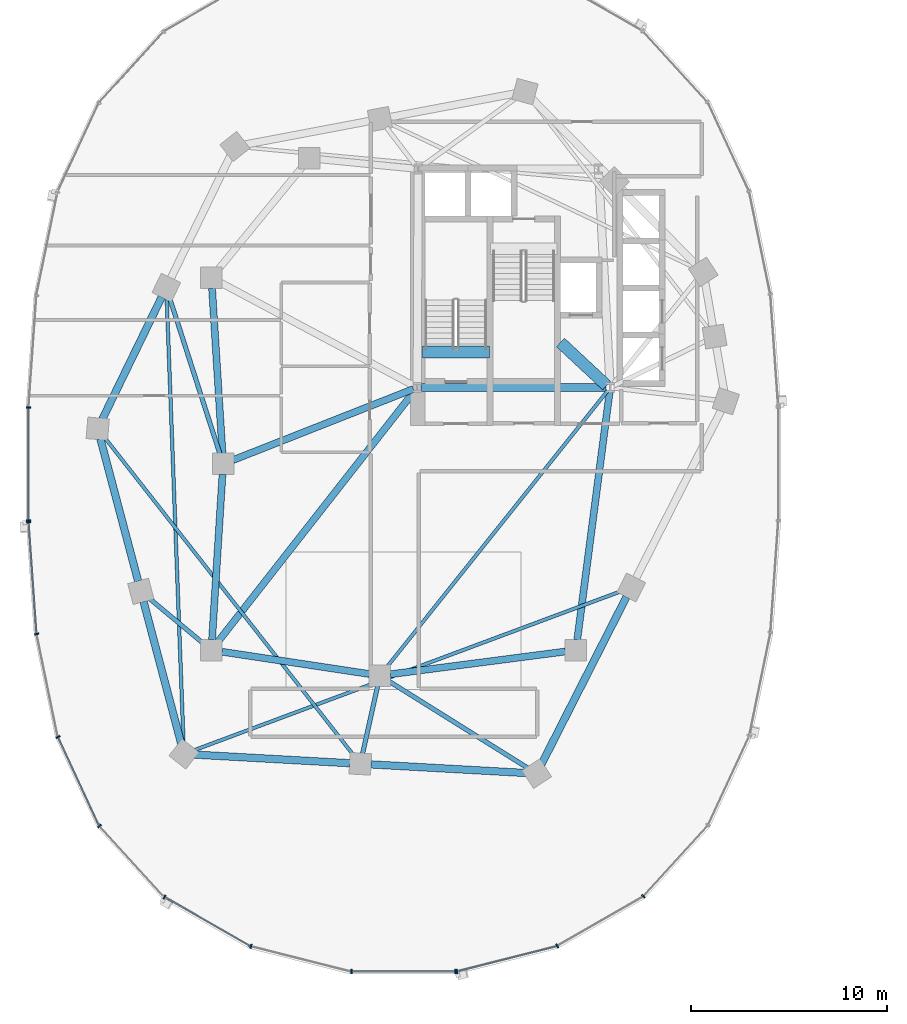
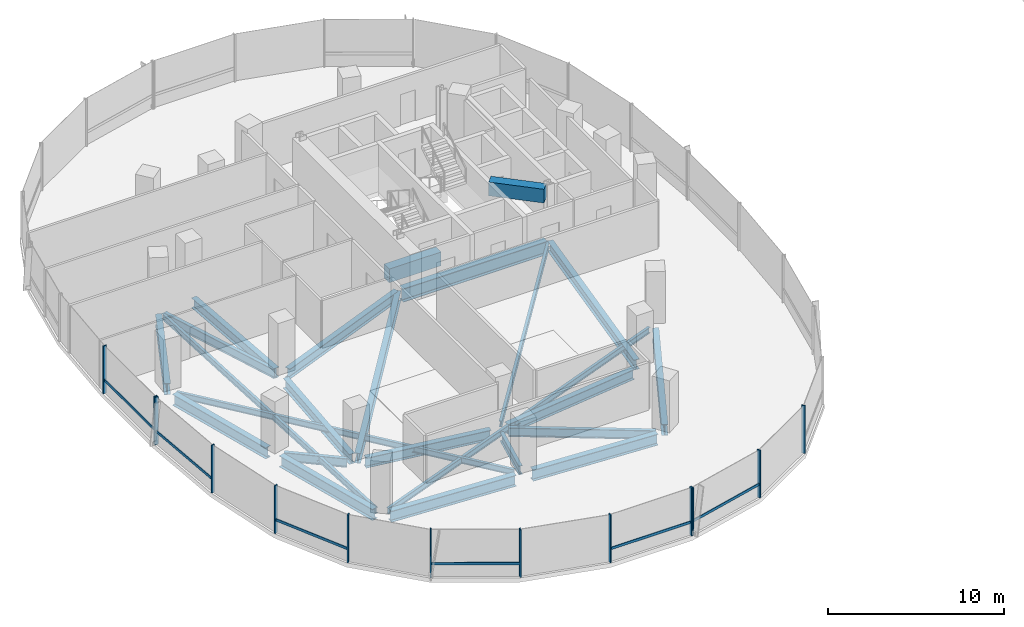
# One storey, part 2 of 21: 24 beams, 19 members, 3 elements without a shape of their own.
"""IFC4 building model written with IfcOpenShell, lengths in metres."""

import ifcopenshell
import ifcopenshell.guid

model = None  # the IFC model being written
_history = None  # IfcOwnerHistory: only IFC2X3 demands one
_inside = {}  # id of a spatial element -> (the spatial element, [elements in it])
_under = {}  # id of a project, library or spatial element -> (it, [spatial elements below it])
_declared = {}  # id of a project -> (the project, [libraries it declares])
_typed = {}  # id of a type object -> (the type object, [elements of that type])
_made_of = {}  # id of a material, layer set ... -> (it, [elements and type objects made of it])


def new_model(schema):
    """Start an empty IFC model of exactly this schema.

    Asked for "IFC4X3", IfcOpenShell would pick the latest addendum, in which some entities
    have other attributes; the version numbers below select the first issue.
    IFC2X3 requires an IfcOwnerHistory on every rooted entity: one is made here for all.
    """
    global model, _history
    if schema == "IFC4X3":
        model = ifcopenshell.file(schema_version=(4, 3, 0, 0))
    else:
        model = ifcopenshell.file(schema=schema)
    _inside.clear()
    _under.clear()
    _declared.clear()
    _typed.clear()
    _made_of.clear()
    _history = None
    if model.schema == "IFC2X3":
        org = make("IfcOrganization", Name="unknown")
        user = make(
            "IfcPersonAndOrganization",
            ThePerson=make("IfcPerson", FamilyName="unknown"),
            TheOrganization=org,
        )
        app = make(
            "IfcApplication",
            ApplicationDeveloper=org,
            Version="unknown",
            ApplicationFullName="unknown",
            ApplicationIdentifier="unknown",
        )
        _history = make(
            "IfcOwnerHistory",
            OwningUser=user,
            OwningApplication=app,
            ChangeAction="ADDED",
            CreationDate=0,
        )
    return model


def make(cls, **values):
    """One entity of the class cls with the attributes given. An attribute that is None is left unset."""
    return model.create_entity(
        cls, **{name: value for name, value in values.items() if value is not None}
    )


def rooted(cls, **values):
    """An entity with a GlobalId (a new one), such as an element, a storey or a relation."""
    return make(cls, GlobalId=ifcopenshell.guid.new(), OwnerHistory=_history, **values)


def si_unit(unit_type, name, prefix=None):
    """IfcSIUnit, for example si_unit("LENGTHUNIT", "METRE", prefix="MILLI")."""
    return make("IfcSIUnit", UnitType=unit_type, Prefix=prefix, Name=name)


def assignment(units):
    """IfcUnitAssignment: the units of a project."""
    return None if units is None else make("IfcUnitAssignment", Units=units)


def point(xyz):
    """IfcCartesianPoint."""
    return None if xyz is None else make("IfcCartesianPoint", Coordinates=xyz)


def direction(xyz):
    """IfcDirection."""
    return None if xyz is None else make("IfcDirection", DirectionRatios=xyz)


def frame(location, z_axis=None, x_axis=None):
    """IfcAxis2Placement3D, a coordinate frame: its origin and axes. An axis left out is left unset."""
    return make(
        "IfcAxis2Placement3D",
        Location=point(location),
        Axis=direction(z_axis),
        RefDirection=direction(x_axis),
    )


def frame_2d(location, x_axis=None):
    """IfcAxis2Placement2D, a coordinate frame in the plane: its origin and x axis."""
    return make(
        "IfcAxis2Placement2D", Location=point(location), RefDirection=direction(x_axis)
    )


def origin():
    """The frame at (0, 0, 0) with its axes left unset."""
    return frame((0.0, 0.0, 0.0))


def origin_2d():
    """The frame at (0, 0) in the plane with its x axis left unset."""
    return frame_2d((0.0, 0.0))


def place(relative_to, where):
    """IfcLocalPlacement: puts the frame where relative to a parent placement (None: the world)."""
    return make(
        "IfcLocalPlacement", PlacementRelTo=relative_to, RelativePlacement=where
    )


def context(
    kind, dimensions, precision=None, world=None, true_north=None, identifier=None
):
    """IfcGeometricRepresentationContext, for example the 3D "Model" context."""
    return make(
        "IfcGeometricRepresentationContext",
        ContextIdentifier=identifier,
        ContextType=kind,
        CoordinateSpaceDimension=dimensions,
        Precision=precision,
        WorldCoordinateSystem=world,
        TrueNorth=true_north,
    )


def subcontext(parent, identifier, kind, view, scale=None):
    """IfcGeometricRepresentationSubContext, for example "Body" below "Model"."""
    return make(
        "IfcGeometricRepresentationSubContext",
        ContextIdentifier=identifier,
        ContextType=kind,
        ParentContext=parent,
        TargetScale=scale,
        TargetView=view,
    )


def project(units=None, contexts=None):
    """IfcProject with its units and contexts."""
    return rooted(
        "IfcProject",
        Name="project",
        RepresentationContexts=contexts,
        UnitsInContext=assignment(units),
    )


def spatial(cls, under=None, at=None, **own):
    """A site, building, storey or space (cls), placed at a placement, below another one or the project."""
    s = rooted(cls, ObjectPlacement=at, **own)
    if under is not None:
        _under.setdefault(under.id(), (under, []))[1].append(s)
    return s


def profile(cls, at=None, kind="AREA", **sizes):
    """A parametric profile (cls). Its sizes go by their IFC names, for example OverallWidth=200.0."""
    return make(cls, ProfileType=kind, Position=at, **sizes)


def rectangle(**sizes):
    """IfcRectangleProfileDef."""
    return profile("IfcRectangleProfileDef", **sizes)


def i_section(**sizes):
    """IfcIShapeProfileDef."""
    return profile("IfcIShapeProfileDef", **sizes)


def extrude(swept, where, along, depth):
    """IfcExtrudedAreaSolid: the profile swept, set in the frame where, extruded along a direction by depth."""
    return make(
        "IfcExtrudedAreaSolid",
        SweptArea=swept,
        Position=where,
        ExtrudedDirection=direction(along),
        Depth=depth,
    )


def shape(context_of_items, identifier, shape_type, items):
    """IfcShapeRepresentation: the items that make up one representation, for example the "Body"."""
    return make(
        "IfcShapeRepresentation",
        ContextOfItems=context_of_items,
        RepresentationIdentifier=identifier,
        RepresentationType=shape_type,
        Items=items,
    )


def material(Name=None, Category=None):
    """IfcMaterial."""
    return make("IfcMaterial", Name=Name, Category=Category)


def material_profile(
    of_material, cross_section, Name=None, Category=None, Priority=None
):
    """IfcMaterialProfile: a cross section and its material."""
    return make(
        "IfcMaterialProfile",
        Name=Name,
        Material=of_material,
        Profile=cross_section,
        Priority=Priority,
        Category=Category,
    )


def profile_set(profiles, Name=None, composite=None):
    """IfcMaterialProfileSet."""
    return make(
        "IfcMaterialProfileSet",
        Name=Name,
        MaterialProfiles=profiles,
        CompositeProfile=composite,
    )


def made_of(thing, what):
    """Note that an element or type object is made of a material, layer set ...; save() writes the relation."""
    if what is not None:
        _made_of.setdefault(what.id(), (what, []))[1].append(thing)
    return thing


def type_object(cls, material=None, **own):
    """A type object (cls), such as IfcWallType, which elements share."""
    return made_of(rooted(cls, **own), material)


def element(
    cls,
    number,
    at=None,
    inside=None,
    cuts=None,
    type_object=None,
    material=None,
    context=None,
    identifier="Body",
    shape_type=None,
    held_by="IfcProductDefinitionShape",
    body=None,
    shapes=None,
    **own,
):
    """One element of the class cls, such as IfcWall. Its Tag is "e" and its number.

    at: its placement. inside: the storey or other place that contains it. cuts: it is an
    opening in that element (IfcRelVoidsElement). A single representation is given by context,
    identifier, shape_type and body (its items); several are given by shapes. held_by: the class
    of the entity that holds the representations. save() writes the other relations.
    """
    e = rooted(cls, Tag="e%d" % number, ObjectPlacement=at, **own)
    if body is not None:
        shapes = [shape(context, identifier, shape_type, body)]
    if shapes is not None:
        e.Representation = make(held_by, Representations=shapes)
    if inside is not None:
        _inside.setdefault(inside.id(), (inside, []))[1].append(e)
    if cuts is not None:
        rooted(
            "IfcRelVoidsElement", RelatingBuildingElement=cuts, RelatedOpeningElement=e
        )
    if type_object is not None:
        _typed.setdefault(type_object.id(), (type_object, []))[1].append(e)
    return made_of(e, material)


def aggregate(whole, parts):
    """IfcRelAggregates: a whole, such as a stair, and the parts it consists of."""
    return rooted("IfcRelAggregates", RelatingObject=whole, RelatedObjects=parts)


def save(model, path):
    """Write the relations noted so far, then the file.

    IfcRelAggregates (storeys below a building ...), IfcRelContainedInSpatialStructure (elements
    in a storey), IfcRelDefinesByType, IfcRelAssociatesMaterial and IfcRelDeclares: one each for
    every whole, place, type object, material and project.
    """
    for whole, parts in _under.values():
        aggregate(whole, parts)
    for where, things in _inside.values():
        rooted(
            "IfcRelContainedInSpatialStructure",
            RelatedElements=things,
            RelatingStructure=where,
        )
    for kind, things in _typed.values():
        rooted("IfcRelDefinesByType", RelatedObjects=things, RelatingType=kind)
    for what, things in _made_of.values():
        rooted("IfcRelAssociatesMaterial", RelatedObjects=things, RelatingMaterial=what)
    for by, libraries in _declared.values():
        rooted("IfcRelDeclares", RelatingContext=by, RelatedDefinitions=libraries)
    model.write(path)


model = new_model("IFC4")

# Units and contexts
model_context = context("Model", 3, precision=1e-05, world=origin(), true_north=direction((0.0, 1.0)))
body_context = subcontext(model_context, "Body", "Model", "MODEL_VIEW")
ifc_project = project(units=[si_unit("LENGTHUNIT", "METRE"), si_unit("AREAUNIT", "SQUARE_METRE"), si_unit("VOLUMEUNIT", "CUBIC_METRE"), si_unit("PLANEANGLEUNIT", "RADIAN"), si_unit("MASSUNIT", "GRAM", prefix="KILO"), si_unit("THERMODYNAMICTEMPERATUREUNIT", "KELVIN"), si_unit("POWERUNIT", "WATT")], contexts=[model_context])

# Site, building, storey
site_placement = place(None, origin())
site = spatial("IfcSite", under=ifc_project, at=site_placement, CompositionType="ELEMENT")
building_placement = place(site_placement, origin())
building = spatial("IfcBuilding", under=site, at=building_placement, Name="Cundina Bronze Exchange", CompositionType="ELEMENT")
storey_placement = place(building_placement, frame((0.0, 0.0, 81.800048828125)))
storey = spatial("IfcBuildingStorey", under=building, at=storey_placement, Name="L20", CompositionType="ELEMENT", Elevation=81.800048828125)

# Beams
ifc_material_1 = material(Name="Concrete C60/75", Category="concrete")
ifc_material_profile_1 = material_profile(ifc_material_1, rectangle(XDim=0.60009765625, YDim=0.949951171875, at=origin_2d()), Name="RC600X950", Category="concrete")
ifc_profile_set_1 = profile_set([ifc_material_profile_1], Name="Concrete C60/75")
beam_type_1 = type_object("IfcBeamType", Name="BM-COUP-RC950", PredefinedType="LINTEL", material=ifc_profile_set_1)
beam_1_placement = place(storey_placement, frame((-31.02001953125, 5.719970703125, -0.47509765625), z_axis=(1.0, 0.0, 0.0), x_axis=(0.0, 1.0, 0.0)))
element("IfcBeam", 1, at=beam_1_placement, inside=storey, type_object=beam_type_1, Name="L20 Stair W1 Landing Header Beam", PredefinedType="LINTEL", context=body_context, shape_type="SweptSolid", body=[
    extrude(rectangle(XDim=0.60009765625, YDim=0.949951171875, at=origin_2d()), origin(), (0.0, 0.0, 1.0), 3.39990234375),
])
beam_2_placement = place(storey_placement, frame((-23.989990234375, 6.199951171875, 2.824951171875), z_axis=(0.731490439815, -0.681851696822, 0.0), x_axis=(0.681851696822, 0.731490439815, 0.0)))
element("IfcBeam", 2, at=beam_2_placement, inside=storey, type_object=beam_type_1, Name="L20 W Core Shear Coupling Lintel Beam", PredefinedType="LINTEL", context=body_context, shape_type="SweptSolid", body=[
    extrude(rectangle(XDim=0.60009765625, YDim=0.949951171875, at=origin_2d()), origin(), (0.0, 0.0, 1.0), 3.226318359375),
])
ifc_material_2 = material(Name="Steel ASTM A992 Grade 50", Category="steel")
ifc_material_profile_2 = material_profile(ifc_material_2, i_section(OverallWidth=0.22998046875, OverallDepth=0.616943359375, WebThickness=0.01318359375, FlangeThickness=0.022216796875, FilletRadius=0.013916015625, at=origin_2d()), Name="W24X94", Category="steel")
ifc_profile_set_2 = profile_set([ifc_material_profile_2], Name="Steel ASTM A992 Grade 50")
beam_type_2 = type_object("IfcBeamType", Name="BM-FLR-W24B", PredefinedType="BEAM", material=ifc_profile_set_2)
beam_3_placement = place(storey_placement, frame((-41.364990234375, 0.51220703125, -0.608642578125), z_axis=(-0.306710777581, 0.951802762612, 0.0), x_axis=(-0.951802762612, -0.306710777581, 0.0)))
element("IfcBeam", 3, at=beam_3_placement, inside=storey, type_object=beam_type_2, Name="L20 Leg W Radial Floor Beam 07", PredefinedType="BEAM", context=body_context, shape_type="SweptSolid", body=[
    extrude(i_section(OverallWidth=0.22998046875, OverallDepth=0.616943359375, WebThickness=0.01318359375, FlangeThickness=0.022216796875, FilletRadius=0.013916015625, at=origin_2d()), origin(), (0.0, 0.0, 1.0), 8.37939453125),
])
beam_4_placement = place(storey_placement, frame((-42.21337890625, -9.155517578125, -0.608642578125), z_axis=(-0.768243451945, 0.640157791911, 0.0), x_axis=(-0.640157791911, -0.768243451945, 0.0)))
element("IfcBeam", 4, at=beam_4_placement, inside=storey, type_object=beam_type_2, Name="L20 Leg W Radial Floor Beam 09", PredefinedType="BEAM", context=body_context, shape_type="SweptSolid", body=[
    extrude(i_section(OverallWidth=0.22998046875, OverallDepth=0.616943359375, WebThickness=0.01318359375, FlangeThickness=0.022216796875, FilletRadius=0.013916015625, at=origin_2d()), origin(), (0.0, 0.0, 1.0), 3.610107421875),
])
beam_5_placement = place(storey_placement, frame((-33.316650390625, -11.3251953125, -0.608642578125), z_axis=(-0.216930457819, -0.976187060184, 0.0), x_axis=(0.976187060184, -0.216930457819, 0.0)))
element("IfcBeam", 5, at=beam_5_placement, inside=storey, type_object=beam_type_2, Name="L20 Leg W Radial Floor Beam 11", PredefinedType="BEAM", context=body_context, shape_type="SweptSolid", body=[
    extrude(i_section(OverallWidth=0.22998046875, OverallDepth=0.616943359375, WebThickness=0.01318359375, FlangeThickness=0.022216796875, FilletRadius=0.013916015625, at=origin_2d()), origin(), (0.0, 0.0, 1.0), 3.533935546875),
])
beam_6_placement = place(storey_placement, frame((-32.743896484375, -11.085205078125, -0.608642578125), z_axis=(0.848003227047, -0.529991063055, 0.0), x_axis=(0.529991063055, 0.848003227047, 0.0)))
element("IfcBeam", 6, at=beam_6_placement, inside=storey, type_object=beam_type_2, Name="L20 Leg W Radial Floor Beam 12", PredefinedType="BEAM", context=body_context, shape_type="SweptSolid", body=[
    extrude(i_section(OverallWidth=0.22998046875, OverallDepth=0.616943359375, WebThickness=0.01318359375, FlangeThickness=0.022216796875, FilletRadius=0.013916015625, at=origin_2d()), origin(), (0.0, 0.0, 1.0), 8.358154296875),
])
ifc_material_profile_3 = material_profile(ifc_material_2, i_section(OverallWidth=0.178955078125, OverallDepth=0.409912109375, WebThickness=0.0087890625, FlangeThickness=0.014404296875, FilletRadius=0.010986328125, at=origin_2d()), Name="W16X45", Category="steel")
ifc_profile_set_3 = profile_set([ifc_material_profile_3], Name="Steel ASTM A992 Grade 50")
beam_type_3 = type_object("IfcBeamType", Name="BM-JST-W16", PredefinedType="JOIST", material=ifc_profile_set_3)
beam_7_placement = place(storey_placement, frame((-21.577392578125, 3.740478515625, -0.505126953125), z_axis=(-0.62436887964, -0.781129632095, 0.0), x_axis=(0.781129632095, -0.62436887964, 0.0)))
element("IfcBeam", 7, at=beam_7_placement, inside=storey, type_object=beam_type_3, Name="L20 W Interior Core-to-Ring Joist 2", PredefinedType="JOIST", context=body_context, shape_type="SweptSolid", body=[
    extrude(i_section(OverallWidth=0.178955078125, OverallDepth=0.409912109375, WebThickness=0.0087890625, FlangeThickness=0.014404296875, FilletRadius=0.010986328125, at=origin_2d()), origin(), (0.0, 0.0, 1.0), 18.076904296875),
])
beam_8_placement = place(storey_placement, frame((-44.07958984375, 8.46240234375, -0.505126953125), z_axis=(0.03778951385, -0.999285721224, 0.0), x_axis=(0.999285721224, 0.03778951385, 0.0)))
element("IfcBeam", 8, at=beam_8_placement, inside=storey, type_object=beam_type_3, Name="L20 Leg W Lobe Floor Joist 07-10", PredefinedType="JOIST", context=body_context, shape_type="SweptSolid", body=[
    extrude(i_section(OverallWidth=0.178955078125, OverallDepth=0.409912109375, WebThickness=0.0087890625, FlangeThickness=0.014404296875, FilletRadius=0.010986328125, at=origin_2d()), origin(), (0.0, 0.0, 1.0), 22.7412109375),
])
beam_9_placement = place(storey_placement, frame((-47.268310546875, 1.37646484375, -0.505126953125), z_axis=(0.616815348306, -0.787107887201, 0.0), x_axis=(0.787107887201, 0.616815348306, 0.0)))
element("IfcBeam", 9, at=beam_9_placement, inside=storey, type_object=beam_type_3, Name="L20 Leg W Lobe Floor Joist 08-11", PredefinedType="JOIST", context=body_context, shape_type="SweptSolid", body=[
    extrude(i_section(OverallWidth=0.178955078125, OverallDepth=0.409912109375, WebThickness=0.0087890625, FlangeThickness=0.014404296875, FilletRadius=0.010986328125, at=origin_2d()), origin(), (0.0, 0.0, 1.0), 20.64892578125),
])
beam_10_placement = place(storey_placement, frame((-42.69580078125, -14.6123046875, -0.505126953125), z_axis=(0.937127917421, 0.348986054721, 0.0), x_axis=(-0.348986054721, 0.937127917421, 0.0)))
element("IfcBeam", 10, at=beam_10_placement, inside=storey, type_object=beam_type_3, Name="L20 Leg W Lobe Floor Joist 10-13", PredefinedType="JOIST", context=body_context, shape_type="SweptSolid", body=[
    extrude(i_section(OverallWidth=0.178955078125, OverallDepth=0.409912109375, WebThickness=0.0087890625, FlangeThickness=0.014404296875, FilletRadius=0.010986328125, at=origin_2d()), origin(), (0.0, 0.0, 1.0), 23.2802734375),
])
ifc_material_profile_4 = material_profile(ifc_material_2, i_section(OverallWidth=0.35498046875, OverallDepth=0.695068359375, WebThickness=0.015380859375, FlangeThickness=0.02490234375, FilletRadius=0.01806640625, at=origin_2d()), Name="W27X146", Category="steel")
ifc_profile_set_4 = profile_set([ifc_material_profile_4], Name="Steel ASTM A992 Grade 50")
beam_type_4 = type_object("IfcBeamType", Name="BM-RING-W27", PredefinedType="USERDEFINED", material=ifc_profile_set_4)
for number, where, z_axis, x_axis, name in (
    (11, (-41.76611328125, 8.963134765625, -0.6474609375), (0.06303715519, -0.998011180832, 0.0), (0.998011180832, 0.06303715519, 0.0), "L20 W Inner Structural Ring Girder 03"),
    (12, (-41.23388671875, -0.536865234375, -0.6474609375), (-0.06303715519, -0.998011180832, 0.0), (0.998011180832, -0.06303715519, 0.0), "L20 W Inner Structural Ring Girder 04"),
):
    element("IfcBeam", number, at=place(storey_placement, frame(where, z_axis=z_axis, x_axis=x_axis)), inside=storey, type_object=beam_type_4, Name=name, ObjectType="GIRDER", PredefinedType="USERDEFINED", context=body_context, shape_type="SweptSolid", body=[
        extrude(i_section(OverallWidth=0.35498046875, OverallDepth=0.695068359375, WebThickness=0.015380859375, FlangeThickness=0.02490234375, FilletRadius=0.01806640625, at=origin_2d()), origin(), (0.0, 0.0, 1.0), 8.443115234375),
    ])
beam_11_placement = place(storey_placement, frame((-41.26806640625, -9.580322265625, -0.6474609375), z_axis=(0.988767489563, -0.149461873341, 0.0), x_axis=(0.149461873341, 0.988767489563, 0.0)))
element("IfcBeam", 13, at=beam_11_placement, inside=storey, type_object=beam_type_4, Name="L20 W Inner Structural Ring Girder 05", ObjectType="GIRDER", PredefinedType="USERDEFINED", context=body_context, shape_type="SweptSolid", body=[
    extrude(i_section(OverallWidth=0.35498046875, OverallDepth=0.695068359375, WebThickness=0.015380859375, FlangeThickness=0.02490234375, FilletRadius=0.01806640625, at=origin_2d()), origin(), (0.0, 0.0, 1.0), 7.621826171875),
])
beam_12_placement = place(storey_placement, frame((-32.66650390625, -10.730712890625, -0.6474609375), z_axis=(0.991654577907, 0.128923225666, 0.0), x_axis=(-0.128923225666, 0.991654577907, 0.0)))
element("IfcBeam", 14, at=beam_12_placement, inside=storey, type_object=beam_type_4, Name="L20 W Inner Structural Ring Girder 06", ObjectType="GIRDER", PredefinedType="USERDEFINED", context=body_context, shape_type="SweptSolid", body=[
    extrude(i_section(OverallWidth=0.35498046875, OverallDepth=0.695068359375, WebThickness=0.015380859375, FlangeThickness=0.02490234375, FilletRadius=0.01806640625, at=origin_2d()), origin(), (0.0, 0.0, 1.0), 9.00830078125),
])
beam_13_placement = place(storey_placement, frame((-23.13037109375, -8.966552734375, -0.6474609375), z_axis=(0.129507526533, 0.99157843894, 0.0), x_axis=(-0.99157843894, 0.129507526533, 0.0)))
element("IfcBeam", 15, at=beam_13_placement, inside=storey, type_object=beam_type_4, Name="L20 W Inner Structural Ring Girder 07", ObjectType="GIRDER", PredefinedType="USERDEFINED", context=body_context, shape_type="SweptSolid", body=[
    extrude(i_section(OverallWidth=0.35498046875, OverallDepth=0.695068359375, WebThickness=0.015380859375, FlangeThickness=0.02490234375, FilletRadius=0.01806640625, at=origin_2d()), origin(), (0.0, 0.0, 1.0), 12.77197265625),
])
beam_14_placement = place(storey_placement, frame((-31.48974609375, 3.8251953125, -0.6474609375), z_axis=(-0.930413235418, -0.366512225388, 0.0), x_axis=(0.366512225388, -0.930413235418, 0.0)))
element("IfcBeam", 16, at=beam_14_placement, inside=storey, type_object=beam_type_4, Name="L20 W Core-to-Waist Tie Beam 1", ObjectType="GIRDER", PredefinedType="USERDEFINED", context=body_context, shape_type="SweptSolid", body=[
    extrude(i_section(OverallWidth=0.35498046875, OverallDepth=0.695068359375, WebThickness=0.015380859375, FlangeThickness=0.02490234375, FilletRadius=0.01806640625, at=origin_2d()), origin(), (0.0, 0.0, 1.0), 9.8984375),
])
beam_15_placement = place(storey_placement, frame((-31.42578125, 3.739501953125, -0.6474609375), z_axis=(-0.616789275748, -0.787128318206, 0.0), x_axis=(0.787128318206, -0.616789275748, 0.0)))
element("IfcBeam", 17, at=beam_15_placement, inside=storey, type_object=beam_type_4, Name="L20 W Core-to-Waist Tie Beam 3", ObjectType="GIRDER", PredefinedType="USERDEFINED", context=body_context, shape_type="SweptSolid", body=[
    extrude(i_section(OverallWidth=0.35498046875, OverallDepth=0.695068359375, WebThickness=0.015380859375, FlangeThickness=0.02490234375, FilletRadius=0.01806640625, at=origin_2d()), origin(), (0.0, 0.0, 1.0), 16.281982421875),
])
ifc_material_profile_5 = material_profile(ifc_material_2, i_section(OverallWidth=0.381103515625, OverallDepth=0.77294921875, WebThickness=0.0166015625, FlangeThickness=0.027099609375, FilletRadius=0.01904296875, at=origin_2d()), Name="W30X173", Category="steel")
ifc_profile_set_5 = profile_set([ifc_material_profile_5], Name="Steel ASTM A992 Grade 50")
beam_type_5 = type_object("IfcBeamType", Name="BM-RING-W30", PredefinedType="USERDEFINED", material=ifc_profile_set_5)
beam_16_placement = place(storey_placement, frame((-44.335205078125, 8.51611328125, -0.6865234375), z_axis=(-0.437193894283, -0.899367276924, 0.0), x_axis=(0.899367276924, -0.437193894283, 0.0)))
element("IfcBeam", 18, at=beam_16_placement, inside=storey, type_object=beam_type_5, Name="L20 W Perimeter Ring Girder 07", ObjectType="GIRDER", PredefinedType="USERDEFINED", context=body_context, shape_type="SweptSolid", body=[
    extrude(i_section(OverallWidth=0.381103515625, OverallDepth=0.77294921875, WebThickness=0.0166015625, FlangeThickness=0.027099609375, FilletRadius=0.01904296875, at=origin_2d()), origin(), (0.0, 0.0, 1.0), 6.929443359375),
])
for number, where, z_axis, x_axis, name in (
    (19, (-47.462158203125, 1.280029296875, -0.6865234375), (0.256209719931, -0.966621218168, 0.0), (0.966621218168, 0.256209719931, 0.0), "L20 W Perimeter Ring Girder 08"),
    (20, (-45.26220703125, -7.02001953125, -0.6865234375), (0.256209719931, -0.966621218168, 0.0), (0.966621218168, 0.256209719931, 0.0), "L20 W Perimeter Ring Girder 09"),
):
    element("IfcBeam", number, at=place(storey_placement, frame(where, z_axis=z_axis, x_axis=x_axis)), inside=storey, type_object=beam_type_5, Name=name, ObjectType="GIRDER", PredefinedType="USERDEFINED", context=body_context, shape_type="SweptSolid", body=[
        extrude(i_section(OverallWidth=0.381103515625, OverallDepth=0.77294921875, WebThickness=0.0166015625, FlangeThickness=0.027099609375, FilletRadius=0.01904296875, at=origin_2d()), origin(), (0.0, 0.0, 1.0), 7.5107421875),
    ])
for number, where, z_axis, x_axis, name in (
    (21, (-42.662841796875, -14.829833984375, -0.6865234375), (0.99845950136, -0.055485350721, 0.0), (0.055485350721, 0.99845950136, 0.0), "L20 W Perimeter Ring Girder 10"),
    (22, (-33.662841796875, -15.329833984375, -0.6865234375), (0.99845950136, -0.055485350721, 0.0), (0.055485350721, 0.99845950136, 0.0), "L20 W Perimeter Ring Girder 11"),
):
    element("IfcBeam", number, at=place(storey_placement, frame(where, z_axis=z_axis, x_axis=x_axis)), inside=storey, type_object=beam_type_5, Name=name, ObjectType="GIRDER", PredefinedType="USERDEFINED", context=body_context, shape_type="SweptSolid", body=[
        extrude(i_section(OverallWidth=0.381103515625, OverallDepth=0.77294921875, WebThickness=0.0166015625, FlangeThickness=0.027099609375, FilletRadius=0.01904296875, at=origin_2d()), origin(), (0.0, 0.0, 1.0), 7.937744140625),
    ])
beam_17_placement = place(storey_placement, frame((-24.956298828125, -15.3203125, -0.6865234375), z_axis=(0.452832332744, 0.891595692241, 0.0), x_axis=(-0.891595692241, 0.452832332744, 0.0)))
element("IfcBeam", 23, at=beam_17_placement, inside=storey, type_object=beam_type_5, Name="L20 W Perimeter Ring Girder 12", ObjectType="GIRDER", PredefinedType="USERDEFINED", context=body_context, shape_type="SweptSolid", body=[
    extrude(i_section(OverallWidth=0.381103515625, OverallDepth=0.77294921875, WebThickness=0.0166015625, FlangeThickness=0.027099609375, FilletRadius=0.01904296875, at=origin_2d()), origin(), (0.0, 0.0, 1.0), 9.578857421875),
])
ifc_material_profile_6 = material_profile(ifc_material_2, i_section(OverallWidth=0.41796875, OverallDepth=0.927001953125, WebThickness=0.019287109375, FlangeThickness=0.031982421875, FilletRadius=0.02392578125, at=origin_2d()), Name="W36X231", Category="steel")
ifc_profile_set_6 = profile_set([ifc_material_profile_6], Name="Steel ASTM A992 Grade 50")
beam_type_6 = type_object("IfcBeamType", Name="BM-WRN-W36B", PredefinedType="USERDEFINED", material=ifc_profile_set_6)
beam_18_placement = place(storey_placement, frame((-31.095947265625, 3.89990234375, -0.763427734375), z_axis=(1.0, 0.0, 0.0), x_axis=(0.0, 1.0, 0.0)))
element("IfcBeam", 24, at=beam_18_placement, inside=storey, type_object=beam_type_6, Name="L20 W Core Perimeter Tie Girder 1", ObjectType="GIRDER", PredefinedType="USERDEFINED", context=body_context, shape_type="SweptSolid", body=[
    extrude(i_section(OverallWidth=0.41796875, OverallDepth=0.927001953125, WebThickness=0.019287109375, FlangeThickness=0.031982421875, FilletRadius=0.02392578125, at=origin_2d()), origin(), (0.0, 0.0, 1.0), 9.44189453125),
])

# Curtain wall, members
ifc_material_3 = material(Name="Anodised Bronze Aluminium 6063-T6", Category="aluminium")
curtain_wall_type = type_object("IfcCurtainWallType", Name="CWS-TRD-MID", PredefinedType="NOTDEFINED", material=ifc_material_3)
curtain_wall_1_placement = place(storey_placement, origin())
curtain_wall_1 = element("IfcCurtainWall", 25, at=curtain_wall_1_placement, inside=storey, type_object=curtain_wall_type, Name="L20 CW-03 Curtain Wall Run CWR-L20-W2", PredefinedType="NOTDEFINED")
ifc_material_profile_7 = material_profile(ifc_material_3, rectangle(XDim=0.074951171875, YDim=0.219970703125, at=origin_2d()), Name="AL75X220", Category="aluminium")
ifc_profile_set_7 = profile_set([ifc_material_profile_7], Name="Anodised Bronze Aluminium 6063-T6")
member_type_1 = type_object("IfcMemberType", Name="CWM-MUL-220", PredefinedType="MULLION", material=ifc_profile_set_7)
member_1_placement = place(storey_placement, frame((-51.1279296875, 2.880615234375, 0.0), z_axis=(0.0, 0.0, 1.0), x_axis=(0.0, -1.0, 0.0)))
member_1 = element("IfcMember", 26, at=member_1_placement, type_object=member_type_1, Name="CW-03 Mullion 7", PredefinedType="MULLION", context=body_context, shape_type="SweptSolid", body=[
    extrude(rectangle(XDim=0.074951171875, YDim=0.219970703125, at=origin_2d()), origin(), (0.0, 0.0, 1.0), 3.300048828125),
])
member_2_placement = place(storey_placement, frame((-51.1279296875, -2.880615234375, 0.0), z_axis=(0.0, 0.0, 1.0), x_axis=(0.0, -1.0, 0.0)))
member_2 = element("IfcMember", 27, at=member_2_placement, type_object=member_type_1, Name="CW-03 End Mullion", PredefinedType="MULLION", context=body_context, shape_type="SweptSolid", body=[
    extrude(rectangle(XDim=0.074951171875, YDim=0.219970703125, at=origin_2d()), origin(), (0.0, 0.0, 1.0), 3.300048828125),
])

curtain_wall_2_placement = place(storey_placement, origin())
curtain_wall_2 = element("IfcCurtainWall", 28, at=curtain_wall_2_placement, inside=storey, type_object=curtain_wall_type, Name="L20 CW-03 Curtain Wall Run CWR-L20-W3", PredefinedType="NOTDEFINED")
member_3_placement = place(storey_placement, frame((-51.12451171875, -2.976318359375, 0.0), z_axis=(0.0, 0.0, 1.0), x_axis=(0.070278787473, -0.997527389113, 0.0)))
member_3 = element("IfcMember", 29, at=member_3_placement, type_object=member_type_1, Name="CW-03 Mullion 1", PredefinedType="MULLION", context=body_context, shape_type="SweptSolid", body=[
    extrude(rectangle(XDim=0.074951171875, YDim=0.219970703125, at=origin_2d()), origin(), (0.0, 0.0, 1.0), 3.300048828125),
])
member_4_placement = place(storey_placement, frame((-50.717041015625, -8.67822265625, 0.0), z_axis=(0.0, 0.0, 1.0), x_axis=(0.201419845156, -0.979505000486, 0.0)))
member_4 = element("IfcMember", 30, at=member_4_placement, type_object=member_type_1, Name="CW-03 Mullion 2", PredefinedType="MULLION", context=body_context, shape_type="SweptSolid", body=[
    extrude(rectangle(XDim=0.074951171875, YDim=0.219970703125, at=origin_2d()), origin(), (0.0, 0.0, 1.0), 3.300048828125),
])
member_5_placement = place(storey_placement, frame((-49.6279296875, -13.931884765625, 0.0), z_axis=(0.0, 0.0, 1.0), x_axis=(0.42087749791, -0.907117485088, 0.0)))
member_5 = element("IfcMember", 31, at=member_5_placement, type_object=member_type_1, Name="CW-03 Mullion 3", PredefinedType="MULLION", context=body_context, shape_type="SweptSolid", body=[
    extrude(rectangle(XDim=0.074951171875, YDim=0.219970703125, at=origin_2d()), origin(), (0.0, 0.0, 1.0), 3.300048828125),
])
member_6_placement = place(storey_placement, frame((-47.508544921875, -18.47705078125, 0.0), z_axis=(0.0, 0.0, 1.0), x_axis=(0.674302387584, -0.738455340626, 0.0)))
member_6 = element("IfcMember", 32, at=member_6_placement, type_object=member_type_1, Name="CW-03 Mullion 4", PredefinedType="MULLION", context=body_context, shape_type="SweptSolid", body=[
    extrude(rectangle(XDim=0.074951171875, YDim=0.219970703125, at=origin_2d()), origin(), (0.0, 0.0, 1.0), 3.300048828125),
])
member_7_placement = place(storey_placement, frame((-44.189697265625, -22.097412109375, 0.0), z_axis=(0.0, 0.0, 1.0), x_axis=(0.867070701164, -0.498185105339, 0.0)))
member_7 = element("IfcMember", 33, at=member_7_placement, type_object=member_type_1, Name="CW-03 Mullion 5", PredefinedType="MULLION", context=body_context, shape_type="SweptSolid", body=[
    extrude(rectangle(XDim=0.074951171875, YDim=0.219970703125, at=origin_2d()), origin(), (0.0, 0.0, 1.0), 3.300048828125),
])
member_8_placement = place(storey_placement, frame((-39.78515625, -24.61669921875, 0.0), z_axis=(0.0, 0.0, 1.0), x_axis=(0.969488149345, -0.245138182011, 0.0)))
member_8 = element("IfcMember", 34, at=member_8_placement, type_object=member_type_1, Name="CW-03 Mullion 6", PredefinedType="MULLION", context=body_context, shape_type="SweptSolid", body=[
    extrude(rectangle(XDim=0.074951171875, YDim=0.219970703125, at=origin_2d()), origin(), (0.0, 0.0, 1.0), 3.300048828125),
])
member_9_placement = place(storey_placement, frame((-34.654541015625, -25.905029296875, 0.0), z_axis=(0.0, 0.0, 1.0), x_axis=(1.0, 0.0, 0.0)))
member_9 = element("IfcMember", 35, at=member_9_placement, type_object=member_type_1, Name="CW-03 Mullion 7", PredefinedType="MULLION", context=body_context, shape_type="SweptSolid", body=[
    extrude(rectangle(XDim=0.074951171875, YDim=0.219970703125, at=origin_2d()), origin(), (0.0, 0.0, 1.0), 3.300048828125),
])
member_10_placement = place(storey_placement, frame((-29.345458984375, -25.905029296875, 0.0), z_axis=(0.0, 0.0, 1.0), x_axis=(1.0, 0.0, 0.0)))
member_10 = element("IfcMember", 36, at=member_10_placement, type_object=member_type_1, Name="CW-03 End Mullion", PredefinedType="MULLION", context=body_context, shape_type="SweptSolid", body=[
    extrude(rectangle(XDim=0.074951171875, YDim=0.219970703125, at=origin_2d()), origin(), (0.0, 0.0, 1.0), 3.300048828125),
])

curtain_wall_3_placement = place(storey_placement, origin())
curtain_wall_3 = element("IfcCurtainWall", 37, at=curtain_wall_3_placement, inside=storey, type_object=curtain_wall_type, Name="L20 CW-03 Curtain Wall Run CWR-L20-W4", PredefinedType="NOTDEFINED")
member_11_placement = place(storey_placement, frame((-29.27392578125, -25.89599609375, 0.0), z_axis=(0.0, 0.0, 1.0), x_axis=(0.969488149345, 0.245138182011, 0.0)))
member_11 = element("IfcMember", 38, at=member_11_placement, type_object=member_type_1, Name="CW-03 Mullion 1", PredefinedType="MULLION", context=body_context, shape_type="SweptSolid", body=[
    extrude(rectangle(XDim=0.074951171875, YDim=0.219970703125, at=origin_2d()), origin(), (0.0, 0.0, 1.0), 3.300048828125),
])
member_12_placement = place(storey_placement, frame((-24.151123046875, -24.591064453125, 0.0), z_axis=(0.0, 0.0, 1.0), x_axis=(0.867070701164, 0.498185105339, 0.0)))
member_12 = element("IfcMember", 39, at=member_12_placement, type_object=member_type_1, Name="CW-03 Mullion 2", PredefinedType="MULLION", context=body_context, shape_type="SweptSolid", body=[
    extrude(rectangle(XDim=0.074951171875, YDim=0.219970703125, at=origin_2d()), origin(), (0.0, 0.0, 1.0), 3.300048828125),
])
member_13_placement = place(storey_placement, frame((-19.760498046875, -22.0576171875, 0.0), z_axis=(0.0, 0.0, 1.0), x_axis=(0.674302387584, 0.738455340626, 0.0)))
member_13 = element("IfcMember", 40, at=member_13_placement, type_object=member_type_1, Name="CW-03 Mullion 3", PredefinedType="MULLION", context=body_context, shape_type="SweptSolid", body=[
    extrude(rectangle(XDim=0.074951171875, YDim=0.219970703125, at=origin_2d()), origin(), (0.0, 0.0, 1.0), 3.300048828125),
])

# Member
ifc_material_profile_8 = material_profile(ifc_material_3, rectangle(XDim=0.070068359375, YDim=0.179931640625, at=origin_2d()), Name="AL70X180", Category="aluminium")
ifc_profile_set_8 = profile_set([ifc_material_profile_8], Name="Anodised Bronze Aluminium 6063-T6")
member_type_2 = type_object("IfcMemberType", Name="CWM-TRN-180", PredefinedType="USERDEFINED", material=ifc_profile_set_8)
member_14_placement = place(storey_placement, frame((-51.1279296875, 2.839111328125, 0.919921875), z_axis=(0.0, -1.0, 0.0), x_axis=(1.0, 0.0, 0.0)))
member_14 = element("IfcMember", 41, at=member_14_placement, type_object=member_type_2, Name="CW-03 Spandrel Transom 7", ObjectType="TRANSOM", PredefinedType="USERDEFINED", context=body_context, shape_type="SweptSolid", body=[
    extrude(rectangle(XDim=0.070068359375, YDim=0.179931640625, at=origin_2d()), origin(), (0.0, 0.0, 1.0), 5.67822265625),
])

aggregate(curtain_wall_1, [member_1, member_2, member_14])

member_15_placement = place(storey_placement, frame((-51.12158203125, -3.017333984375, 0.919921875), z_axis=(0.070260714471, -0.997528662246, 0.0), x_axis=(0.997528662246, 0.070260714471, 0.0)))
member_15 = element("IfcMember", 42, at=member_15_placement, type_object=member_type_2, Name="CW-03 Spandrel Transom 1", ObjectType="TRANSOM", PredefinedType="USERDEFINED", context=body_context, shape_type="SweptSolid", body=[
    extrude(rectangle(XDim=0.070068359375, YDim=0.179931640625, at=origin_2d()), origin(), (0.0, 0.0, 1.0), 5.629150390625),
])

member_16_placement = place(storey_placement, frame((-49.610595703125, -13.96923828125, 0.919921875), z_axis=(0.420811422796, -0.907148139195, 0.0), x_axis=(0.907148139195, 0.420811422796, 0.0)))
member_16 = element("IfcMember", 43, at=member_16_placement, type_object=member_type_2, Name="CW-03 Spandrel Transom 3", ObjectType="TRANSOM", PredefinedType="USERDEFINED", context=body_context, shape_type="SweptSolid", body=[
    extrude(rectangle(XDim=0.070068359375, YDim=0.179931640625, at=origin_2d()), origin(), (0.0, 0.0, 1.0), 4.95166015625),
])

member_17_placement = place(storey_placement, frame((-44.154052734375, -22.117919921875, 0.919921875), z_axis=(0.867097475651, -0.498138502546, 0.0), x_axis=(0.498138502546, 0.867097475651, 0.0)))
member_17 = element("IfcMember", 44, at=member_17_placement, type_object=member_type_2, Name="CW-03 Spandrel Transom 5", ObjectType="TRANSOM", PredefinedType="USERDEFINED", context=body_context, shape_type="SweptSolid", body=[
    extrude(rectangle(XDim=0.070068359375, YDim=0.179931640625, at=origin_2d()), origin(), (0.0, 0.0, 1.0), 5.00634765625),
])

member_18_placement = place(storey_placement, frame((-34.61328125, -25.905029296875, 0.919921875), z_axis=(1.0, 0.0, 0.0), x_axis=(0.0, 1.0, 0.0)))
member_18 = element("IfcMember", 45, at=member_18_placement, type_object=member_type_2, Name="CW-03 Spandrel Transom 7", ObjectType="TRANSOM", PredefinedType="USERDEFINED", context=body_context, shape_type="SweptSolid", body=[
    extrude(rectangle(XDim=0.070068359375, YDim=0.179931640625, at=origin_2d()), origin(), (0.0, 0.0, 1.0), 5.2265625),
])

aggregate(curtain_wall_2, [member_3, member_15, member_4, member_5, member_16, member_6, member_7, member_17, member_8, member_9, member_10, member_18])

member_19_placement = place(storey_placement, frame((-29.23388671875, -25.885986328125, 0.919921875), z_axis=(0.969483968866, 0.245154714644, 0.0), x_axis=(-0.245154714644, 0.969483968866, 0.0)))
member_19 = element("IfcMember", 46, at=member_19_placement, type_object=member_type_2, Name="CW-03 Spandrel Transom 1", ObjectType="TRANSOM", PredefinedType="USERDEFINED", context=body_context, shape_type="SweptSolid", body=[
    extrude(rectangle(XDim=0.070068359375, YDim=0.179931640625, at=origin_2d()), origin(), (0.0, 0.0, 1.0), 5.21826171875),
])

aggregate(curtain_wall_3, [member_11, member_19, member_12, member_13])

save(model, "model.ifc")
